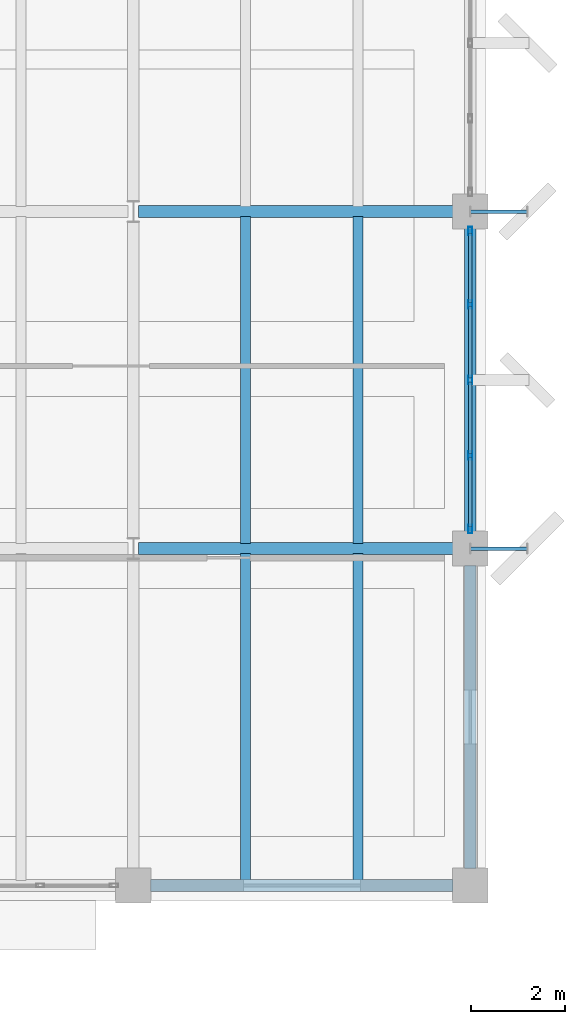
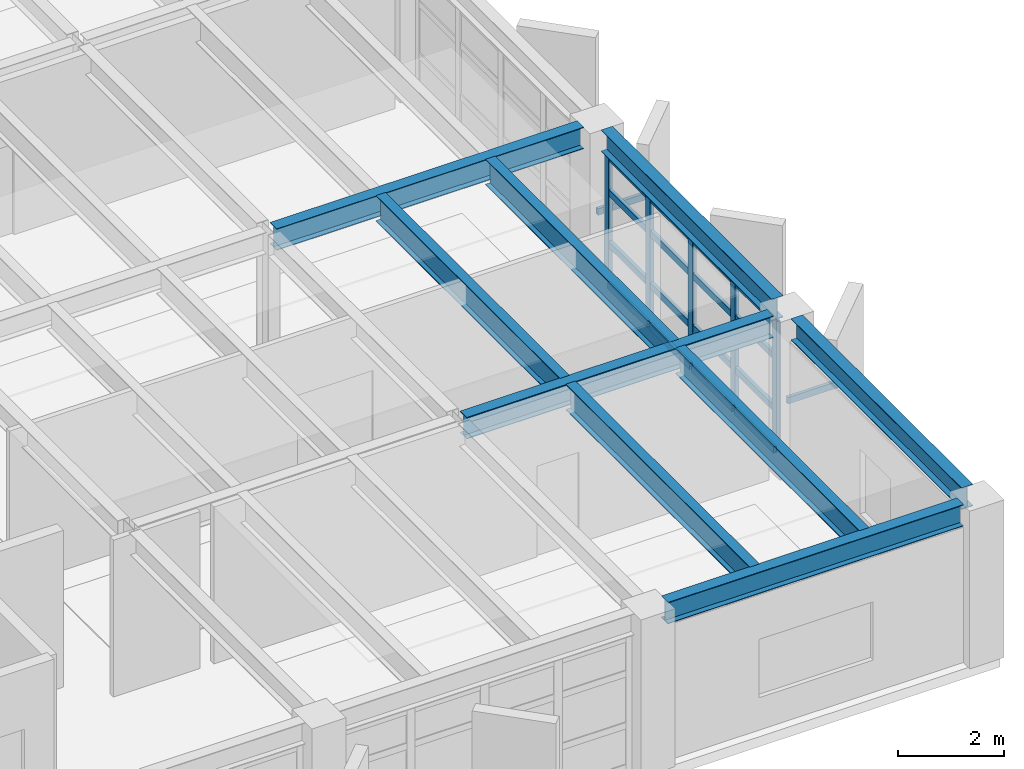
# One storey, part 12 of 24: 23 members, 9 beams, 1 element without a shape of its own.
"""IFC4 building model written with IfcOpenShell, lengths in metres."""

from ifc_helpers import new_model, si_unit, direction, frame, origin, origin_2d, place, context, subcontext, project, spatial, hollow_rectangle, i_section, extrude, material, layer, layer_set, material_profile, profile_set, type_object, element, aggregate, save


model = new_model("IFC4")

# Units and contexts
model_context = context("Model", 3, precision=1e-05, world=origin(), true_north=direction((0.0, 1.0)))
body_context = subcontext(model_context, "Body", "Model", "MODEL_VIEW")
ifc_project = project(units=[si_unit("LENGTHUNIT", "METRE"), si_unit("AREAUNIT", "SQUARE_METRE"), si_unit("VOLUMEUNIT", "CUBIC_METRE"), si_unit("PLANEANGLEUNIT", "RADIAN"), si_unit("MASSUNIT", "GRAM", prefix="KILO")], contexts=[model_context])

# Site, building, storey
site_placement = place(None, origin())
site = spatial("IfcSite", under=ifc_project, at=site_placement, CompositionType="ELEMENT")
building_placement = place(site_placement, origin())
building = spatial("IfcBuilding", under=site, at=building_placement, Name="Kandorven Conservatory and Botanical Research Centre", CompositionType="ELEMENT")
storey_placement = place(building_placement, frame((0.0, 0.0, 24.89990234375)))
storey = spatial("IfcBuildingStorey", under=building, at=storey_placement, Name="L06", CompositionType="ELEMENT", Elevation=24.89990234375)

# Beams
ifc_material_1 = material(Name="Steel S355 (IS 2062 E350)", Category="steel")
ifc_material_profile_1 = material_profile(ifc_material_1, i_section(OverallWidth=0.25, OverallDepth=0.5, WebThickness=0.010009765625, FlangeThickness=0.0146484375, at=origin_2d()))
ifc_profile_set_1 = profile_set([ifc_material_profile_1], Name="Steel S355 (IS 2062 E350)")
beam_type_1 = type_object("IfcBeamType", Name="Beam_FG-02", PredefinedType="USERDEFINED", material=ifc_profile_set_1)
beam_placement = place(storey_placement, frame((35.1650390625, 6.0, 3.400146484375), z_axis=(1.0, 0.0, 0.0), x_axis=(0.0, 1.0, 0.0)))
element("IfcBeam", 1, at=beam_placement, inside=storey, type_object=beam_type_1, Name="Primary girder FG-02 TWR L06", ObjectType="GIRDER", PredefinedType="USERDEFINED", context=body_context, shape_type="SweptSolid", body=[
    extrude(i_section(OverallWidth=0.25, OverallDepth=0.5, WebThickness=0.010009765625, FlangeThickness=0.0146484375, at=origin_2d()), origin(), (0.0, 0.0, 1.0), 6.469970703125),
])
for number, where, z_axis, x_axis, name in (
    (2, (34.9150390625, 13.199951171875, 3.400146484375), (1.0, 0.0, 0.0), (0.0, 1.0, 0.0), "Primary girder FG-02 TWR L06"),
    (3, (34.9150390625, 20.39990234375, 3.400146484375), (1.0, 0.0, 0.0), (0.0, 1.0, 0.0), "Primary girder FG-02 TWR L06"),
):
    element("IfcBeam", number, at=place(storey_placement, frame(where, z_axis=z_axis, x_axis=x_axis)), inside=storey, type_object=beam_type_1, Name=name, ObjectType="GIRDER", PredefinedType="USERDEFINED", context=body_context, shape_type="SweptSolid", body=[
        extrude(i_section(OverallWidth=0.25, OverallDepth=0.5, WebThickness=0.010009765625, FlangeThickness=0.0146484375, at=origin_2d()), origin(), (0.0, 0.0, 1.0), 6.719970703125),
    ])
for number, where, z_axis, x_axis, name in (
    (4, (42.0, 6.364990234375, 3.400146484375), (0.0, 1.0, 0.0), (-1.0, 0.0, 0.0), "Primary girder FG-02 TWR L06"),
    (5, (42.0, 13.56494140625, 3.400146484375), (0.0, 1.0, 0.0), (-1.0, 0.0, 0.0), "Primary girder FG-02 TWR L06"),
):
    element("IfcBeam", number, at=place(storey_placement, frame(where, z_axis=z_axis, x_axis=x_axis)), inside=storey, type_object=beam_type_1, Name=name, ObjectType="GIRDER", PredefinedType="USERDEFINED", context=body_context, shape_type="SweptSolid", body=[
        extrude(i_section(OverallWidth=0.25, OverallDepth=0.5, WebThickness=0.010009765625, FlangeThickness=0.0146484375, at=origin_2d()), origin(), (0.0, 0.0, 1.0), 6.469970703125),
    ])
ifc_material_2 = material(Name="Steel S355 (IS 2062 E350)", Category="steel")
ifc_material_profile_2 = material_profile(ifc_material_2, i_section(OverallWidth=0.2099609375, OverallDepth=0.60009765625, WebThickness=0.011962890625, FlangeThickness=0.020751953125, at=origin_2d()))
ifc_profile_set_2 = profile_set([ifc_material_profile_2], Name="Steel S355 (IS 2062 E350)")
beam_type_2 = type_object("IfcBeamType", Name="Beam_SB-01", PredefinedType="BEAM", material=ifc_profile_set_2)
for number, where, z_axis, x_axis, name in (
    (6, (37.199951171875, 6.110107421875, 3.35009765625), (0.0, 1.0, 0.0), (-1.0, 0.0, 0.0), "Composite secondary beam SB-01 TWR L06"),
    (7, (39.60009765625, 6.110107421875, 3.35009765625), (0.0, 1.0, 0.0), (-1.0, 0.0, 0.0), "Composite secondary beam SB-01 TWR L06"),
    (8, (37.199951171875, 13.31005859375, 3.35009765625), (0.0, 1.0, 0.0), (-1.0, 0.0, 0.0), "Composite secondary beam SB-01 TWR L06"),
    (9, (39.60009765625, 13.31005859375, 3.35009765625), (0.0, 1.0, 0.0), (-1.0, 0.0, 0.0), "Composite secondary beam SB-01 TWR L06"),
):
    element("IfcBeam", number, at=place(storey_placement, frame(where, z_axis=z_axis, x_axis=x_axis)), inside=storey, type_object=beam_type_2, Name=name, PredefinedType="BEAM", context=body_context, shape_type="SweptSolid", body=[
        extrude(i_section(OverallWidth=0.2099609375, OverallDepth=0.60009765625, WebThickness=0.011962890625, FlangeThickness=0.020751953125, at=origin_2d()), origin(), (0.0, 0.0, 1.0), 6.97998046875),
    ])

# Curtain wall, members
ifc_material_3 = material(Name="Bronze anodised thermally broken aluminium", Category="aluminium")
ifc_layer = layer(ifc_material_3, 0.179931640625)
ifc_layer_set = layer_set([ifc_layer], Name="Bronze anodised thermally broken aluminium")
curtain_wall_type = type_object("IfcCurtainWallType", Name="CW_Unitised", PredefinedType="USERDEFINED", material=ifc_layer_set)
curtain_wall_placement = place(storey_placement, origin())
curtain_wall = element("IfcCurtainWall", 10, at=curtain_wall_placement, inside=storey, type_object=curtain_wall_type, Name="Tower laboratory curtain wall CW-TWR-E-L06-2", ObjectType="UNITISED GLAZING", PredefinedType="USERDEFINED")
ifc_material_4 = material(Name="Bronze anodised thermally broken aluminium", Category="aluminium")
ifc_material_profile_3 = material_profile(ifc_material_4, hollow_rectangle(XDim=0.080078125, YDim=0.179931640625, WallThickness=0.006103515625, at=origin_2d()))
ifc_profile_set_3 = profile_set([ifc_material_profile_3], Name="Bronze anodised thermally broken aluminium")
member_type_1 = type_object("IfcMemberType", Name="CW_Mullion", PredefinedType="MULLION", material=ifc_profile_set_3)
member_1_placement = place(storey_placement, frame((42.0, 13.614990234375, 0.0), z_axis=(0.0, 0.0, 1.0), x_axis=(-1.0, 0.0, 0.0)))
member_1 = element("IfcMember", 11, at=member_1_placement, type_object=member_type_1, Name="CW-01 mullion 1", PredefinedType="MULLION", context=body_context, shape_type="SweptSolid", body=[
    extrude(hollow_rectangle(XDim=0.080078125, YDim=0.179931640625, WallThickness=0.006103515625, at=origin_2d()), origin(), (0.0, 0.0, 1.0), 3.130126953125),
])
member_2_placement = place(storey_placement, frame((42.0, 15.1875, 0.0), z_axis=(0.0, 0.0, 1.0), x_axis=(-1.0, 0.0, 0.0)))
member_2 = element("IfcMember", 12, at=member_2_placement, type_object=member_type_1, Name="CW-01 mullion 2", PredefinedType="MULLION", context=body_context, shape_type="SweptSolid", body=[
    extrude(hollow_rectangle(XDim=0.080078125, YDim=0.179931640625, WallThickness=0.006103515625, at=origin_2d()), origin(), (0.0, 0.0, 1.0), 3.130126953125),
])
member_3_placement = place(storey_placement, frame((42.0, 16.800048828125, 0.0), z_axis=(0.0, 0.0, 1.0), x_axis=(-1.0, 0.0, 0.0)))
member_3 = element("IfcMember", 13, at=member_3_placement, type_object=member_type_1, Name="CW-01 mullion 3", PredefinedType="MULLION", context=body_context, shape_type="SweptSolid", body=[
    extrude(hollow_rectangle(XDim=0.080078125, YDim=0.179931640625, WallThickness=0.006103515625, at=origin_2d()), origin(), (0.0, 0.0, 1.0), 3.130126953125),
])
member_4_placement = place(storey_placement, frame((42.0, 18.41259765625, 0.0), z_axis=(0.0, 0.0, 1.0), x_axis=(-1.0, 0.0, 0.0)))
member_4 = element("IfcMember", 14, at=member_4_placement, type_object=member_type_1, Name="CW-01 mullion 4", PredefinedType="MULLION", context=body_context, shape_type="SweptSolid", body=[
    extrude(hollow_rectangle(XDim=0.080078125, YDim=0.179931640625, WallThickness=0.006103515625, at=origin_2d()), origin(), (0.0, 0.0, 1.0), 3.130126953125),
])
member_5_placement = place(storey_placement, frame((42.0, 19.985107421875, 0.0), z_axis=(0.0, 0.0, 1.0), x_axis=(-1.0, 0.0, 0.0)))
member_5 = element("IfcMember", 15, at=member_5_placement, type_object=member_type_1, Name="CW-01 mullion 5", PredefinedType="MULLION", context=body_context, shape_type="SweptSolid", body=[
    extrude(hollow_rectangle(XDim=0.080078125, YDim=0.179931640625, WallThickness=0.006103515625, at=origin_2d()), origin(), (0.0, 0.0, 1.0), 3.130126953125),
])
ifc_material_5 = material(Name="Bronze anodised thermally broken aluminium", Category="aluminium")
ifc_material_profile_4 = material_profile(ifc_material_5, hollow_rectangle(XDim=0.074951171875, YDim=0.14990234375, WallThickness=0.006103515625, at=origin_2d()))
ifc_profile_set_4 = profile_set([ifc_material_profile_4], Name="Bronze anodised thermally broken aluminium")
member_type_2 = type_object("IfcMemberType", Name="CW_Transom", PredefinedType="USERDEFINED", material=ifc_profile_set_4)
member_6_placement = place(storey_placement, frame((42.0, 13.655029296875, 0.0751953125), z_axis=(0.0, 1.0, 0.0), x_axis=(-1.0, 0.0, 0.0)))
member_6 = element("IfcMember", 16, at=member_6_placement, type_object=member_type_2, Name="CW-01 transom 1.1", ObjectType="TRANSOM", PredefinedType="USERDEFINED", context=body_context, shape_type="SweptSolid", body=[
    extrude(hollow_rectangle(XDim=0.074951171875, YDim=0.14990234375, WallThickness=0.006103515625, at=origin_2d()), origin(), (0.0, 0.0, 1.0), 1.492431640625),
])
member_7_placement = place(storey_placement, frame((42.0, 13.655029296875, 1.050048828125), z_axis=(0.0, 1.0, 0.0), x_axis=(-1.0, 0.0, 0.0)))
member_7 = element("IfcMember", 17, at=member_7_placement, type_object=member_type_2, Name="CW-01 transom 1.2", ObjectType="TRANSOM", PredefinedType="USERDEFINED", context=body_context, shape_type="SweptSolid", body=[
    extrude(hollow_rectangle(XDim=0.074951171875, YDim=0.14990234375, WallThickness=0.006103515625, at=origin_2d()), origin(), (0.0, 0.0, 1.0), 1.492431640625),
])
member_8_placement = place(storey_placement, frame((42.0, 13.655029296875, 2.25), z_axis=(0.0, 1.0, 0.0), x_axis=(-1.0, 0.0, 0.0)))
member_8 = element("IfcMember", 18, at=member_8_placement, type_object=member_type_2, Name="CW-01 transom 1.3", ObjectType="TRANSOM", PredefinedType="USERDEFINED", context=body_context, shape_type="SweptSolid", body=[
    extrude(hollow_rectangle(XDim=0.074951171875, YDim=0.14990234375, WallThickness=0.006103515625, at=origin_2d()), origin(), (0.0, 0.0, 1.0), 1.492431640625),
])
member_9_placement = place(storey_placement, frame((42.0, 13.655029296875, 3.05517578125), z_axis=(0.0, 1.0, 0.0), x_axis=(-1.0, 0.0, 0.0)))
member_9 = element("IfcMember", 19, at=member_9_placement, type_object=member_type_2, Name="CW-01 transom 1.4", ObjectType="TRANSOM", PredefinedType="USERDEFINED", context=body_context, shape_type="SweptSolid", body=[
    extrude(hollow_rectangle(XDim=0.074951171875, YDim=0.14990234375, WallThickness=0.006103515625, at=origin_2d()), origin(), (0.0, 0.0, 1.0), 1.492431640625),
])
member_10_placement = place(storey_placement, frame((42.0, 15.2275390625, 0.0751953125), z_axis=(0.0, 1.0, 0.0), x_axis=(-1.0, 0.0, 0.0)))
member_10 = element("IfcMember", 20, at=member_10_placement, type_object=member_type_2, Name="CW-01 transom 2.1", ObjectType="TRANSOM", PredefinedType="USERDEFINED", context=body_context, shape_type="SweptSolid", body=[
    extrude(hollow_rectangle(XDim=0.074951171875, YDim=0.14990234375, WallThickness=0.006103515625, at=origin_2d()), origin(), (0.0, 0.0, 1.0), 1.532470703125),
])
member_11_placement = place(storey_placement, frame((42.0, 15.2275390625, 1.050048828125), z_axis=(0.0, 1.0, 0.0), x_axis=(-1.0, 0.0, 0.0)))
member_11 = element("IfcMember", 21, at=member_11_placement, type_object=member_type_2, Name="CW-01 transom 2.2", ObjectType="TRANSOM", PredefinedType="USERDEFINED", context=body_context, shape_type="SweptSolid", body=[
    extrude(hollow_rectangle(XDim=0.074951171875, YDim=0.14990234375, WallThickness=0.006103515625, at=origin_2d()), origin(), (0.0, 0.0, 1.0), 1.532470703125),
])
member_12_placement = place(storey_placement, frame((42.0, 15.2275390625, 2.25), z_axis=(0.0, 1.0, 0.0), x_axis=(-1.0, 0.0, 0.0)))
member_12 = element("IfcMember", 22, at=member_12_placement, type_object=member_type_2, Name="CW-01 transom 2.3", ObjectType="TRANSOM", PredefinedType="USERDEFINED", context=body_context, shape_type="SweptSolid", body=[
    extrude(hollow_rectangle(XDim=0.074951171875, YDim=0.14990234375, WallThickness=0.006103515625, at=origin_2d()), origin(), (0.0, 0.0, 1.0), 1.532470703125),
])
member_13_placement = place(storey_placement, frame((42.0, 15.2275390625, 3.05517578125), z_axis=(0.0, 1.0, 0.0), x_axis=(-1.0, 0.0, 0.0)))
member_13 = element("IfcMember", 23, at=member_13_placement, type_object=member_type_2, Name="CW-01 transom 2.4", ObjectType="TRANSOM", PredefinedType="USERDEFINED", context=body_context, shape_type="SweptSolid", body=[
    extrude(hollow_rectangle(XDim=0.074951171875, YDim=0.14990234375, WallThickness=0.006103515625, at=origin_2d()), origin(), (0.0, 0.0, 1.0), 1.532470703125),
])
member_14_placement = place(storey_placement, frame((42.0, 16.840087890625, 0.0751953125), z_axis=(0.0, 1.0, 0.0), x_axis=(-1.0, 0.0, 0.0)))
member_14 = element("IfcMember", 24, at=member_14_placement, type_object=member_type_2, Name="CW-01 transom 3.1", ObjectType="TRANSOM", PredefinedType="USERDEFINED", context=body_context, shape_type="SweptSolid", body=[
    extrude(hollow_rectangle(XDim=0.074951171875, YDim=0.14990234375, WallThickness=0.006103515625, at=origin_2d()), origin(), (0.0, 0.0, 1.0), 1.532470703125),
])
member_15_placement = place(storey_placement, frame((42.0, 16.840087890625, 1.050048828125), z_axis=(0.0, 1.0, 0.0), x_axis=(-1.0, 0.0, 0.0)))
member_15 = element("IfcMember", 25, at=member_15_placement, type_object=member_type_2, Name="CW-01 transom 3.2", ObjectType="TRANSOM", PredefinedType="USERDEFINED", context=body_context, shape_type="SweptSolid", body=[
    extrude(hollow_rectangle(XDim=0.074951171875, YDim=0.14990234375, WallThickness=0.006103515625, at=origin_2d()), origin(), (0.0, 0.0, 1.0), 1.532470703125),
])
member_16_placement = place(storey_placement, frame((42.0, 16.840087890625, 2.25), z_axis=(0.0, 1.0, 0.0), x_axis=(-1.0, 0.0, 0.0)))
member_16 = element("IfcMember", 26, at=member_16_placement, type_object=member_type_2, Name="CW-01 transom 3.3", ObjectType="TRANSOM", PredefinedType="USERDEFINED", context=body_context, shape_type="SweptSolid", body=[
    extrude(hollow_rectangle(XDim=0.074951171875, YDim=0.14990234375, WallThickness=0.006103515625, at=origin_2d()), origin(), (0.0, 0.0, 1.0), 1.532470703125),
])
member_17_placement = place(storey_placement, frame((42.0, 16.840087890625, 3.05517578125), z_axis=(0.0, 1.0, 0.0), x_axis=(-1.0, 0.0, 0.0)))
member_17 = element("IfcMember", 27, at=member_17_placement, type_object=member_type_2, Name="CW-01 transom 3.4", ObjectType="TRANSOM", PredefinedType="USERDEFINED", context=body_context, shape_type="SweptSolid", body=[
    extrude(hollow_rectangle(XDim=0.074951171875, YDim=0.14990234375, WallThickness=0.006103515625, at=origin_2d()), origin(), (0.0, 0.0, 1.0), 1.532470703125),
])
member_18_placement = place(storey_placement, frame((42.0, 18.452392578125, 0.0751953125), z_axis=(0.0, 1.0, 0.0), x_axis=(-1.0, 0.0, 0.0)))
member_18 = element("IfcMember", 28, at=member_18_placement, type_object=member_type_2, Name="CW-01 transom 4.1", ObjectType="TRANSOM", PredefinedType="USERDEFINED", context=body_context, shape_type="SweptSolid", body=[
    extrude(hollow_rectangle(XDim=0.074951171875, YDim=0.14990234375, WallThickness=0.006103515625, at=origin_2d()), origin(), (0.0, 0.0, 1.0), 1.49267578125),
])
member_19_placement = place(storey_placement, frame((42.0, 18.452392578125, 1.050048828125), z_axis=(0.0, 1.0, 0.0), x_axis=(-1.0, 0.0, 0.0)))
member_19 = element("IfcMember", 29, at=member_19_placement, type_object=member_type_2, Name="CW-01 transom 4.2", ObjectType="TRANSOM", PredefinedType="USERDEFINED", context=body_context, shape_type="SweptSolid", body=[
    extrude(hollow_rectangle(XDim=0.074951171875, YDim=0.14990234375, WallThickness=0.006103515625, at=origin_2d()), origin(), (0.0, 0.0, 1.0), 1.49267578125),
])
member_20_placement = place(storey_placement, frame((42.0, 18.452392578125, 2.25), z_axis=(0.0, 1.0, 0.0), x_axis=(-1.0, 0.0, 0.0)))
member_20 = element("IfcMember", 30, at=member_20_placement, type_object=member_type_2, Name="CW-01 transom 4.3", ObjectType="TRANSOM", PredefinedType="USERDEFINED", context=body_context, shape_type="SweptSolid", body=[
    extrude(hollow_rectangle(XDim=0.074951171875, YDim=0.14990234375, WallThickness=0.006103515625, at=origin_2d()), origin(), (0.0, 0.0, 1.0), 1.49267578125),
])
member_21_placement = place(storey_placement, frame((42.0, 18.452392578125, 3.05517578125), z_axis=(0.0, 1.0, 0.0), x_axis=(-1.0, 0.0, 0.0)))
member_21 = element("IfcMember", 31, at=member_21_placement, type_object=member_type_2, Name="CW-01 transom 4.4", ObjectType="TRANSOM", PredefinedType="USERDEFINED", context=body_context, shape_type="SweptSolid", body=[
    extrude(hollow_rectangle(XDim=0.074951171875, YDim=0.14990234375, WallThickness=0.006103515625, at=origin_2d()), origin(), (0.0, 0.0, 1.0), 1.49267578125),
])
aggregate(curtain_wall, [member_1, member_2, member_3, member_4, member_5, member_6, member_7, member_8, member_9, member_10, member_11, member_12, member_13, member_14, member_15, member_16, member_17, member_18, member_19, member_20, member_21])

# Members
ifc_material_6 = material(Name="Steel S355 (IS 2062 E350)", Category="steel")
ifc_material_profile_5 = material_profile(ifc_material_6, hollow_rectangle(XDim=0.074951171875, YDim=0.14990234375, WallThickness=0.006103515625, at=origin_2d()))
ifc_profile_set_5 = profile_set([ifc_material_profile_5], Name="Steel S355 (IS 2062 E350)")
member_type_3 = type_object("IfcMemberType", Name="Mem_SF-01", PredefinedType="STRUT", material=ifc_profile_set_5)
for number, where, z_axis, x_axis, name in (
    (32, (42.0, 13.199951171875, 1.5), (1.0, 0.0, 0.0), (0.0, 1.0, 0.0), "Solar fin steel outrigger strut SF-01 #69"),
    (33, (42.0, 20.39990234375, 1.5), (1.0, 0.0, 0.0), (0.0, 1.0, 0.0), "Solar fin steel outrigger strut SF-01 #71"),
):
    element("IfcMember", number, at=place(storey_placement, frame(where, z_axis=z_axis, x_axis=x_axis)), inside=storey, type_object=member_type_3, Name=name, PredefinedType="STRUT", context=body_context, shape_type="SweptSolid", body=[
        extrude(hollow_rectangle(XDim=0.074951171875, YDim=0.14990234375, WallThickness=0.006103515625, at=origin_2d()), origin(), (0.0, 0.0, 1.0), 1.219970703125),
    ])

save(model, "model.ifc")
